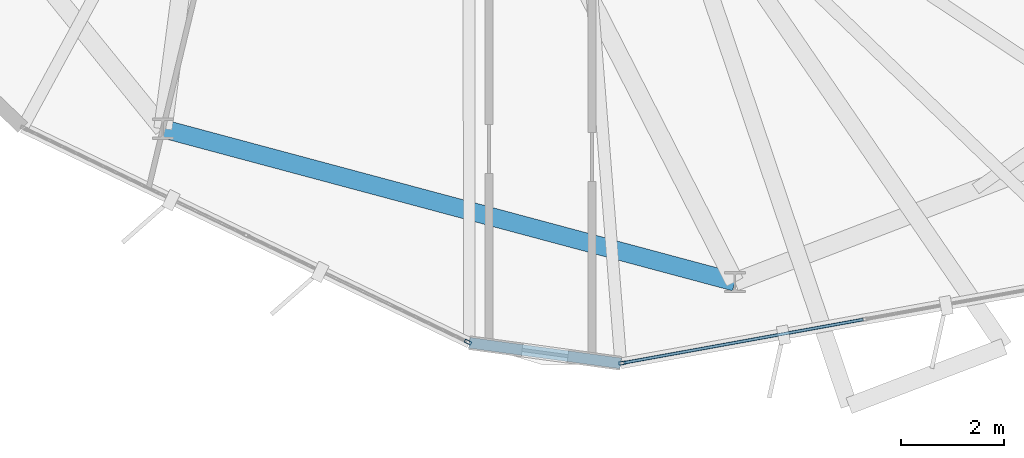
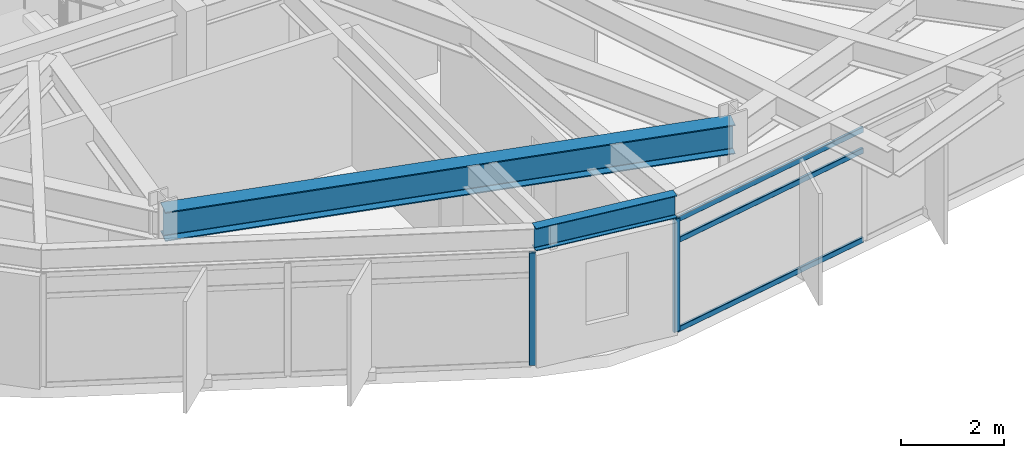
# One storey, part 5 of 27: 5 members, 2 beams, 2 elements without a shape of their own.
"""IFC4 building model written with IfcOpenShell, lengths in metres."""

from ifc_helpers import new_model, si_unit, direction, frame, origin, origin_2d, place, context, subcontext, project, spatial, hollow_rectangle, i_section, extrude, material, layer, layer_set, material_profile, profile_set, type_object, element, aggregate, save


model = new_model("IFC4")

# Units and contexts
model_context = context("Model", 3, precision=1e-05, world=origin(), true_north=direction((0.0, 1.0)))
body_context = subcontext(model_context, "Body", "Model", "MODEL_VIEW")
ifc_project = project(units=[si_unit("LENGTHUNIT", "METRE"), si_unit("AREAUNIT", "SQUARE_METRE"), si_unit("VOLUMEUNIT", "CUBIC_METRE"), si_unit("PLANEANGLEUNIT", "RADIAN"), si_unit("MASSUNIT", "GRAM", prefix="KILO")], contexts=[model_context])

# Site, building, storey
site_placement = place(None, origin())
site = spatial("IfcSite", under=ifc_project, at=site_placement, CompositionType="ELEMENT")
building_placement = place(site_placement, origin())
building = spatial("IfcBuilding", under=site, at=building_placement, Name="Soratama Intermodal Tower", CompositionType="ELEMENT")
storey_placement = place(building_placement, frame((0.0, 0.0, 208.60009765625)))
storey = spatial("IfcBuildingStorey", under=building, at=storey_placement, Name="L52", CompositionType="ELEMENT", Elevation=208.60009765625)

# Beams
ifc_material_1 = material(Name="Structural steel ASTM A992 Grade 50", Category="steel")
ifc_material_profile_1 = material_profile(ifc_material_1, i_section(OverallWidth=0.35498046875, OverallDepth=0.695068359375, WebThickness=0.015380859375, FlangeThickness=0.02490234375, FilletRadius=0.01611328125, at=origin_2d()), Name="W27X146")
ifc_profile_set_1 = profile_set([ifc_material_profile_1], Name="Structural steel ASTM A992 Grade 50")
beam_type_1 = type_object("IfcBeamType", Name="BM-RING-W27X146", PredefinedType="BEAM", material=ifc_profile_set_1)
beam_1_placement = place(storey_placement, frame((34.8701171875, 9.40087890625, 2.952392578125), z_axis=(0.965928616227, -0.258808632687, 0.0), x_axis=(0.258808632687, 0.965928616227, 0.0)))
element("IfcBeam", 1, at=beam_1_placement, inside=storey, type_object=beam_type_1, Name="BM-L52-RING-07", PredefinedType="BEAM", context=body_context, shape_type="SweptSolid", body=[
    extrude(i_section(OverallWidth=0.35498046875, OverallDepth=0.695068359375, WebThickness=0.015380859375, FlangeThickness=0.02490234375, FilletRadius=0.01611328125, at=origin_2d()), origin(), (0.0, 0.0, 1.0), 11.494384765625),
])
ifc_material_2 = material(Name="Structural steel ASTM A992 Grade 50", Category="steel")
ifc_material_profile_2 = material_profile(ifc_material_2, i_section(OverallWidth=0.2099609375, OverallDepth=0.537109375, WebThickness=0.010986328125, FlangeThickness=0.017333984375, FilletRadius=0.012939453125, at=origin_2d()), Name="W21X68")
ifc_profile_set_2 = profile_set([ifc_material_profile_2], Name="Structural steel ASTM A992 Grade 50")
beam_type_2 = type_object("IfcBeamType", Name="BM-SPN-W21X68", PredefinedType="SPANDREL", material=ifc_profile_set_2)
beam_2_placement = place(storey_placement, frame((40.818115234375, 5.24609375, 3.031494140625), z_axis=(0.990864185144, -0.134863510999, 0.0), x_axis=(0.134863510999, 0.990864185144, 0.0)))
element("IfcBeam", 2, at=beam_2_placement, inside=storey, type_object=beam_type_2, Name="BS-L52-CRN06", PredefinedType="SPANDREL", context=body_context, shape_type="SweptSolid", body=[
    extrude(i_section(OverallWidth=0.2099609375, OverallDepth=0.537109375, WebThickness=0.010986328125, FlangeThickness=0.017333984375, FilletRadius=0.012939453125, at=origin_2d()), origin(), (0.0, 0.0, 1.0), 2.967041015625),
])

# Curtain wall, member
ifc_material_3 = material(Name="Double-glazed aluminium curtain wall", Category="aluminium")
ifc_layer = layer(ifc_material_3, 0.159912109375)
ifc_layer_set = layer_set([ifc_layer], Name="Double-glazed aluminium curtain wall")
curtain_wall_type = type_object("IfcCurtainWallType", Name="CW-SYS-5", PredefinedType="NOTDEFINED", material=ifc_layer_set)
curtain_wall_1_placement = place(storey_placement, origin())
curtain_wall_1 = element("IfcCurtainWall", 3, at=curtain_wall_1_placement, inside=storey, type_object=curtain_wall_type, Name="L52 Faceted Curtain Wall F06", PredefinedType="NOTDEFINED")
ifc_material_4 = material(Name="Anodised aluminium AA 6063-T6", Category="aluminium")
ifc_material_profile_3 = material_profile(ifc_material_4, hollow_rectangle(XDim=0.06494140625, YDim=0.139892578125, WallThickness=0.0048828125, InnerFilletRadius=0.0048828125, OuterFilletRadius=0.010009765625, at=origin_2d()), Name="CWM140X65X5")
ifc_profile_set_3 = profile_set([ifc_material_profile_3], Name="Anodised aluminium AA 6063-T6")
member_type_1 = type_object("IfcMemberType", Name="MT-CWM-5", PredefinedType="MULLION", material=ifc_profile_set_3)
member_1_placement = place(storey_placement, frame((40.791259765625, 5.259033203125, 0.0), z_axis=(0.0, 0.0, 1.0), x_axis=(0.434286991077, 0.900774560798, 0.0)))
member_1 = element("IfcMember", 4, at=member_1_placement, type_object=member_type_1, Name="CW-5 mullion 3", PredefinedType="MULLION", context=body_context, shape_type="SweptSolid", body=[
    extrude(hollow_rectangle(XDim=0.06494140625, YDim=0.139892578125, WallThickness=0.0048828125, InnerFilletRadius=0.0048828125, OuterFilletRadius=0.010009765625, at=origin_2d()), origin(), (0.0, 0.0, 1.0), 2.678955078125),
])
aggregate(curtain_wall_1, [member_1])

# Curtain wall, members
curtain_wall_2_placement = place(storey_placement, origin())
curtain_wall_2 = element("IfcCurtainWall", 5, at=curtain_wall_2_placement, inside=storey, type_object=curtain_wall_type, Name="L52 Faceted Curtain Wall F07", PredefinedType="NOTDEFINED")
member_2_placement = place(storey_placement, frame((43.787109375, 4.851806640625, 0.0), z_axis=(0.0, 0.0, 1.0), x_axis=(-0.178115482323, 0.984009590887, 0.0)))
member_2 = element("IfcMember", 6, at=member_2_placement, type_object=member_type_1, Name="CW-5 mullion 1", PredefinedType="MULLION", context=body_context, shape_type="SweptSolid", body=[
    extrude(hollow_rectangle(XDim=0.06494140625, YDim=0.139892578125, WallThickness=0.0048828125, InnerFilletRadius=0.0048828125, OuterFilletRadius=0.010009765625, at=origin_2d()), origin(), (0.0, 0.0, 1.0), 2.678955078125),
])
ifc_material_5 = material(Name="Anodised aluminium AA 6063-T6", Category="aluminium")
ifc_material_profile_4 = material_profile(ifc_material_5, hollow_rectangle(XDim=0.06005859375, YDim=0.1298828125, WallThickness=0.0048828125, InnerFilletRadius=0.0048828125, OuterFilletRadius=0.010009765625, at=origin_2d()), Name="CWT130X60X5")
ifc_profile_set_4 = profile_set([ifc_material_profile_4], Name="Anodised aluminium AA 6063-T6")
member_type_2 = type_object("IfcMemberType", Name="TT-CWT-2", PredefinedType="USERDEFINED", material=ifc_profile_set_4)
member_3_placement = place(storey_placement, frame((43.816650390625, 4.857177734375, 0.02978515625), z_axis=(0.98401105442, 0.178107396757, 0.0), x_axis=(-0.178107396757, 0.98401105442, 0.0)))
member_3 = element("IfcMember", 7, at=member_3_placement, type_object=member_type_2, Name="CW-5 transom 1.1", ObjectType="TRANSOM", PredefinedType="USERDEFINED", context=body_context, shape_type="SweptSolid", body=[
    extrude(hollow_rectangle(XDim=0.06005859375, YDim=0.1298828125, WallThickness=0.0048828125, InnerFilletRadius=0.0048828125, OuterFilletRadius=0.010009765625, at=origin_2d()), origin(), (0.0, 0.0, 1.0), 4.72216796875),
])
member_4_placement = place(storey_placement, frame((43.816650390625, 4.857177734375, 2.14990234375), z_axis=(0.98401105442, 0.178107396757, 0.0), x_axis=(-0.178107396757, 0.98401105442, 0.0)))
member_4 = element("IfcMember", 8, at=member_4_placement, type_object=member_type_2, Name="CW-5 transom 1.2", ObjectType="TRANSOM", PredefinedType="USERDEFINED", context=body_context, shape_type="SweptSolid", body=[
    extrude(hollow_rectangle(XDim=0.06005859375, YDim=0.1298828125, WallThickness=0.0048828125, InnerFilletRadius=0.0048828125, OuterFilletRadius=0.010009765625, at=origin_2d()), origin(), (0.0, 0.0, 1.0), 4.72216796875),
])
member_5_placement = place(storey_placement, frame((43.816650390625, 4.857177734375, 2.64892578125), z_axis=(0.98401105442, 0.178107396757, 0.0), x_axis=(-0.178107396757, 0.98401105442, 0.0)))
member_5 = element("IfcMember", 9, at=member_5_placement, type_object=member_type_2, Name="CW-5 transom 1.3", ObjectType="TRANSOM", PredefinedType="USERDEFINED", context=body_context, shape_type="SweptSolid", body=[
    extrude(hollow_rectangle(XDim=0.06005859375, YDim=0.1298828125, WallThickness=0.0048828125, InnerFilletRadius=0.0048828125, OuterFilletRadius=0.010009765625, at=origin_2d()), origin(), (0.0, 0.0, 1.0), 4.72216796875),
])
aggregate(curtain_wall_2, [member_2, member_3, member_4, member_5])

save(model, "model.ifc")
